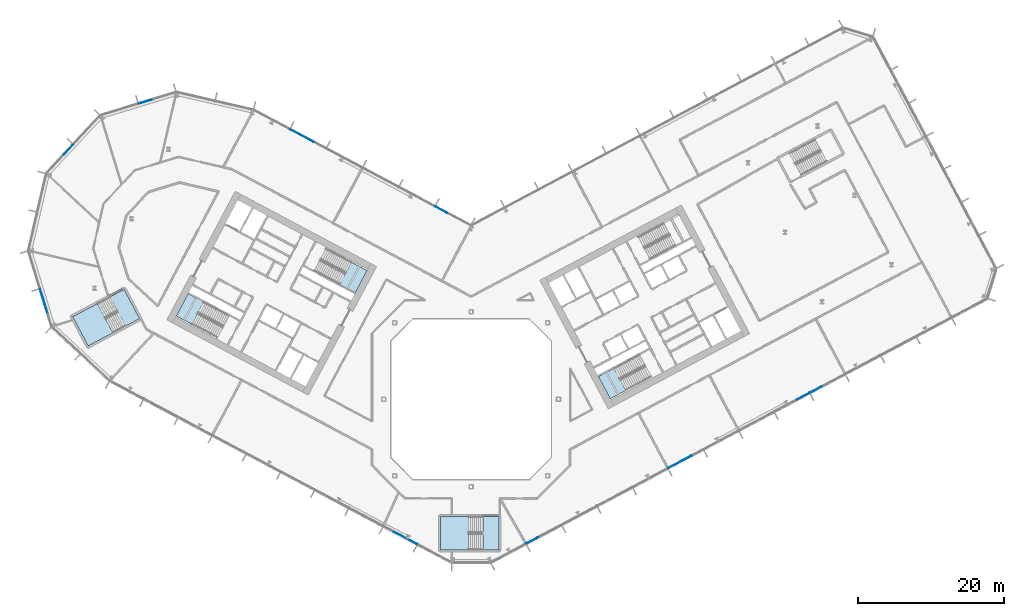
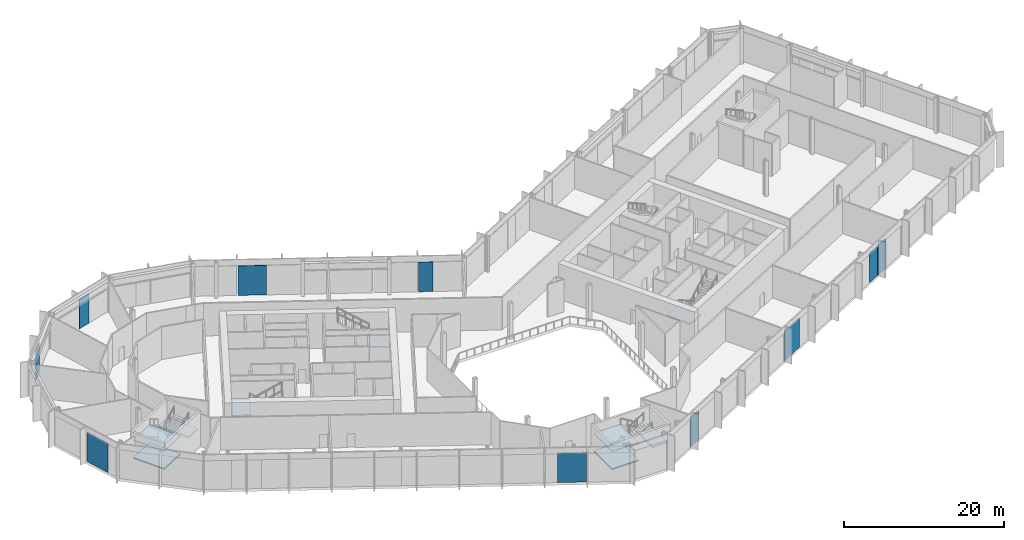
# One storey, part 9 of 30: 10 plates, 9 slabs, 11 elements without a shape of their own.
"""IFC4 building model written with IfcOpenShell, lengths in metres."""

from ifc_helpers import new_model, si_unit, direction, frame, origin, origin_2d, place, context, subcontext, project, spatial, polyline, rectangle, outline, extrude, material, layer, layer_set, type_object, element, aggregate, save


model = new_model("IFC4")

# Units and contexts
model_context = context("Model", 3, precision=1e-05, world=origin(), true_north=direction((0.0, 1.0)))
body_context = subcontext(model_context, "Body", "Model", "MODEL_VIEW")
ifc_project = project(units=[si_unit("LENGTHUNIT", "METRE"), si_unit("AREAUNIT", "SQUARE_METRE"), si_unit("VOLUMEUNIT", "CUBIC_METRE"), si_unit("PLANEANGLEUNIT", "RADIAN"), si_unit("MASSUNIT", "GRAM", prefix="KILO")], contexts=[model_context])

# Site, building, storey
site_placement = place(None, origin())
site = spatial("IfcSite", under=ifc_project, at=site_placement, CompositionType="ELEMENT")
building_placement = place(site_placement, origin())
building = spatial("IfcBuilding", under=site, at=building_placement, Name="Cormorant Relay Tower", CompositionType="ELEMENT")
storey_placement = place(building_placement, frame((0.0, 0.0, 55.39990234375)))
storey = spatial("IfcBuildingStorey", under=building, at=storey_placement, Name="L10", CompositionType="ELEMENT", Elevation=55.39990234375)

# Curtain wall, plates
ifc_material_1 = material(Name="Aluminium 6063-T6 anodised bronze", Category="aluminium")
ifc_layer_1 = layer(ifc_material_1, 0.235107421875)
ifc_layer_set_1 = layer_set([ifc_layer_1], Name="CW6 data hall curtain wall with mineral wool panels")
curtain_wall_type = type_object("IfcCurtainWallType", Name="CW6 data hall curtain wall with mineral wool panels", PredefinedType="NOTDEFINED", material=ifc_layer_set_1)
curtain_wall_1_placement = place(storey_placement, origin())
curtain_wall_1 = element("IfcCurtainWall", 1, at=curtain_wall_1_placement, inside=storey, type_object=curtain_wall_type, Name="CW6 curtain wall 2", PredefinedType="NOTDEFINED")
ifc_material_2 = material(Name="Tinted triple-glazed laminated unit")
ifc_layer_2 = layer(ifc_material_2, 0.074951171875)
ifc_layer_set_2 = layer_set([ifc_layer_2], Name="CW6 triple-glazed vision unit 1800 module")
plate_type_1 = type_object("IfcPlateType", Name="CW6 triple-glazed vision unit 1800 module", PredefinedType="CURTAIN_PANEL", material=ifc_layer_set_2)
plate_1_placement = place(storey_placement, frame((8.39404296875, -19.36328125, 0.0), z_axis=(0.0, 0.0, 1.0), x_axis=(0.882947592859, 0.469471562786, 0.0)))
plate_1 = element("IfcPlate", 2, at=plate_1_placement, type_object=plate_type_1, Name="CW6 panel V01", PredefinedType="CURTAIN_PANEL", context=body_context, shape_type="SweptSolid", body=[
    extrude(rectangle(XDim=1.800048828125, YDim=0.074951171875, at=origin_2d()), origin(), (0.0, 0.0, 1.0), 4.5),
])
plate_2_placement = place(storey_placement, frame((45.605712890625, 0.422607421875, 0.0), z_axis=(0.0, 0.0, 1.0), x_axis=(0.882947592859, 0.469471562786, 0.0)))
plate_2 = element("IfcPlate", 3, at=plate_2_placement, type_object=plate_type_1, Name="CW6 panel V08", PredefinedType="CURTAIN_PANEL", context=body_context, shape_type="SweptSolid", body=[
    extrude(rectangle(XDim=1.800048828125, YDim=0.074951171875, at=origin_2d()), origin(), (0.0, 0.0, 1.0), 4.5),
])
plate_3_placement = place(storey_placement, frame((47.327392578125, 1.337890625, 0.0), z_axis=(0.0, 0.0, 1.0), x_axis=(0.882947592859, 0.469471562786, 0.0)))
plate_3 = element("IfcPlate", 4, at=plate_3_placement, type_object=plate_type_1, Name="CW6 panel V09", PredefinedType="CURTAIN_PANEL", context=body_context, shape_type="SweptSolid", body=[
    extrude(rectangle(XDim=1.800048828125, YDim=0.074951171875, at=origin_2d()), origin(), (0.0, 0.0, 1.0), 4.5),
])

# Curtain wall, plate
curtain_wall_2_placement = place(storey_placement, origin())
curtain_wall_2 = element("IfcCurtainWall", 5, at=curtain_wall_2_placement, inside=storey, type_object=curtain_wall_type, Name="CW6 curtain wall 7", PredefinedType="NOTDEFINED")
plate_4_placement = place(storey_placement, frame((-4.1005859375, 26.006591796875, 0.0), z_axis=(0.0, 0.0, 1.0), x_axis=(-0.882947592859, 0.469471562786, 0.0)))
plate_4 = element("IfcPlate", 6, at=plate_4_placement, type_object=plate_type_1, Name="CW6 panel V01", PredefinedType="CURTAIN_PANEL", context=body_context, shape_type="SweptSolid", body=[
    extrude(rectangle(XDim=1.800048828125, YDim=0.074951171875, at=origin_2d()), origin(), (0.0, 0.0, 1.0), 4.5),
])

curtain_wall_3_placement = place(storey_placement, origin())
curtain_wall_3 = element("IfcCurtainWall", 7, at=curtain_wall_3_placement, inside=storey, type_object=curtain_wall_type, Name="CW6 curtain wall 9", PredefinedType="NOTDEFINED")
plate_5_placement = place(storey_placement, frame((-44.74169921875, 40.84521484375, 0.0), z_axis=(0.0, 0.0, 1.0), x_axis=(-0.956304755963, -0.292371704723, 0.0)))
plate_5 = element("IfcPlate", 8, at=plate_5_placement, type_object=plate_type_1, Name="CW6 panel V01", PredefinedType="CURTAIN_PANEL", context=body_context, shape_type="SweptSolid", body=[
    extrude(rectangle(XDim=1.800048828125, YDim=0.074951171875, at=origin_2d()), origin(), (0.0, 0.0, 1.0), 4.5),
])
aggregate(curtain_wall_3, [plate_5])

curtain_wall_4_placement = place(storey_placement, origin())
curtain_wall_4 = element("IfcCurtainWall", 9, at=curtain_wall_4_placement, inside=storey, type_object=curtain_wall_type, Name="CW6 curtain wall 10", PredefinedType="NOTDEFINED")
plate_6_placement = place(storey_placement, frame((-55.260009765625, 34.272705078125, 0.0), z_axis=(0.0, 0.0, 1.0), x_axis=(-0.681998360062, -0.731353701619, 0.0)))
plate_6 = element("IfcPlate", 10, at=plate_6_placement, type_object=plate_type_1, Name="CW6 panel V01", PredefinedType="CURTAIN_PANEL", context=body_context, shape_type="SweptSolid", body=[
    extrude(rectangle(XDim=1.800048828125, YDim=0.074951171875, at=origin_2d()), origin(), (0.0, 0.0, 1.0), 4.5),
])
aggregate(curtain_wall_4, [plate_6])

# Plate
ifc_material_3 = material(Name="Tinted triple-glazed laminated unit")
ifc_layer_3 = layer(ifc_material_3, 0.074951171875)
ifc_layer_set_3 = layer_set([ifc_layer_3], Name="CW6 triple-glazed vision unit 3600 module")
plate_type_2 = type_object("IfcPlateType", Name="CW6 triple-glazed vision unit 3600 module", PredefinedType="CURTAIN_PANEL", material=ifc_layer_set_3)
plate_7_placement = place(storey_placement, frame((28.6552734375, -8.590087890625, 0.0), z_axis=(0.0, 0.0, 1.0), x_axis=(0.882947592859, 0.469471562786, 0.0)))
plate_7 = element("IfcPlate", 11, at=plate_7_placement, type_object=plate_type_2, Name="CW6 panel V05", PredefinedType="CURTAIN_PANEL", context=body_context, shape_type="SweptSolid", body=[
    extrude(rectangle(XDim=3.60009765625, YDim=0.074951171875, at=origin_2d()), origin(), (0.0, 0.0, 1.0), 4.5),
])

aggregate(curtain_wall_1, [plate_1, plate_7, plate_2, plate_3])

plate_8_placement = place(storey_placement, frame((-23.2216796875, 36.173583984375, 0.0), z_axis=(0.0, 0.0, 1.0), x_axis=(-0.882947592859, 0.469471562786, 0.0)))
plate_8 = element("IfcPlate", 12, at=plate_8_placement, type_object=plate_type_2, Name="CW6 panel V05", PredefinedType="CURTAIN_PANEL", context=body_context, shape_type="SweptSolid", body=[
    extrude(rectangle(XDim=3.60009765625, YDim=0.074951171875, at=origin_2d()), origin(), (0.0, 0.0, 1.0), 4.5),
])

aggregate(curtain_wall_2, [plate_4, plate_8])

# Curtain wall, plate
curtain_wall_5_placement = place(storey_placement, origin())
curtain_wall_5 = element("IfcCurtainWall", 13, at=curtain_wall_5_placement, inside=storey, type_object=curtain_wall_type, Name="CW6 curtain wall 12", PredefinedType="NOTDEFINED")
plate_9_placement = place(storey_placement, frame((-58.618408203125, 13.3916015625, 0.0), z_axis=(0.0, 0.0, 1.0), x_axis=(0.292371704723, -0.956304755963, 0.0)))
plate_9 = element("IfcPlate", 14, at=plate_9_placement, type_object=plate_type_2, Name="CW6 panel V01", PredefinedType="CURTAIN_PANEL", context=body_context, shape_type="SweptSolid", body=[
    extrude(rectangle(XDim=3.60009765625, YDim=0.074951171875, at=origin_2d()), origin(), (0.0, 0.0, 1.0), 4.5),
])
aggregate(curtain_wall_5, [plate_9])

curtain_wall_6_placement = place(storey_placement, origin())
curtain_wall_6 = element("IfcCurtainWall", 15, at=curtain_wall_6_placement, inside=storey, type_object=curtain_wall_type, Name="CW6 curtain wall 14", PredefinedType="NOTDEFINED")
plate_10_placement = place(storey_placement, frame((-9.01611328125, -19.032470703125, 0.0), z_axis=(0.0, 0.0, 1.0), x_axis=(0.882947592859, -0.469471562786, 0.0)))
plate_10 = element("IfcPlate", 16, at=plate_10_placement, type_object=plate_type_2, Name="CW6 panel V08", PredefinedType="CURTAIN_PANEL", context=body_context, shape_type="SweptSolid", body=[
    extrude(rectangle(XDim=3.60009765625, YDim=0.074951171875, at=origin_2d()), origin(), (0.0, 0.0, 1.0), 4.5),
])
aggregate(curtain_wall_6, [plate_10])

# Stair, slab
ifc_material_4 = material(Name="Concrete 40 MPa", Category="concrete")
stair_type_1 = type_object("IfcStairType", Name="Exit stair 1500", PredefinedType="HALF_TURN_STAIR", material=ifc_material_4)
stair_1_placement = place(storey_placement, origin())
stair_1 = element("IfcStair", 17, at=stair_1_placement, inside=storey, type_object=stair_type_1, Name="L10 Stair", PredefinedType="HALF_TURN_STAIR")
ifc_material_5 = material(Name="Concrete 40 MPa", Category="concrete")
ifc_layer_4 = layer(ifc_material_5, 0.199951171875)
ifc_layer_set_4 = layer_set([ifc_layer_4], Name="Exit stair landing 200")
slab_type = type_object("IfcSlabType", Name="Exit stair landing 200", PredefinedType="LANDING", material=ifc_layer_set_4)
slab_1_placement = place(storey_placement, frame((0.0, 0.0, 2.5)))
slab_1 = element("IfcSlab", 18, at=slab_1_placement, type_object=slab_type, Name="A1 landing 1", PredefinedType="LANDING", context=body_context, shape_type="SweptSolid", body=[
    extrude(outline(polyline([(-18.04052734375, 15.764892578125), (-15.89501953125, 14.6240234375), (-14.275390625, 17.670166015625), (-16.4208984375, 18.81103515625), (-18.04052734375, 15.764892578125)])), origin(), (0.0, 0.0, 1.0), 0.2001953125),
])
aggregate(stair_1, [slab_1])

stair_2_placement = place(storey_placement, origin())
stair_2 = element("IfcStair", 19, at=stair_2_placement, inside=storey, type_object=stair_type_1, Name="L10 Stair", PredefinedType="HALF_TURN_STAIR")
slab_2_placement = place(storey_placement, frame((0.0, 0.0, 2.5)))
slab_2 = element("IfcSlab", 20, at=slab_2_placement, type_object=slab_type, Name="A2 landing 1", PredefinedType="LANDING", context=body_context, shape_type="SweptSolid", body=[
    extrude(outline(polyline([(-36.7021484375, 13.34228515625), (-38.84765625, 14.483154296875), (-40.467529296875, 11.43701171875), (-38.32177734375, 10.296142578125), (-36.7021484375, 13.34228515625)])), origin(), (0.0, 0.0, 1.0), 0.2001953125),
])
aggregate(stair_2, [slab_2])

stair_3_placement = place(storey_placement, origin())
stair_3 = element("IfcStair", 21, at=stair_3_placement, inside=storey, type_object=stair_type_1, Name="L10 Stair", PredefinedType="HALF_TURN_STAIR")
slab_3_placement = place(storey_placement, frame((0.0, 0.0, 2.5)))
slab_3 = element("IfcSlab", 22, at=slab_3_placement, type_object=slab_type, Name="B1 landing 1", PredefinedType="LANDING", context=body_context, shape_type="SweptSolid", body=[
    extrude(outline(polyline([(19.6259765625, 4.262939453125), (17.48046875, 3.1220703125), (19.10009765625, 0.075927734375), (21.24560546875, 1.216552734375), (19.6259765625, 4.262939453125)])), origin(), (0.0, 0.0, 1.0), 0.2001953125),
])
aggregate(stair_3, [slab_3])

# Stair, slabs
ifc_material_6 = material(Name="Concrete 40 MPa", Category="concrete")
stair_type_2 = type_object("IfcStairType", Name="Remote exit stair 2200", PredefinedType="HALF_TURN_STAIR", material=ifc_material_6)
stair_4_placement = place(storey_placement, origin())
stair_4 = element("IfcStair", 23, at=stair_4_placement, inside=storey, type_object=stair_type_2, Name="L10 Stair", PredefinedType="HALF_TURN_STAIR")
slab_4_placement = place(storey_placement, frame((0.0, 0.0, 1.150146484375)))
slab_4 = element("IfcSlab", 24, at=slab_4_placement, type_object=slab_type, Name="RK1 landing 1", PredefinedType="LANDING", context=body_context, shape_type="SweptSolid", body=[
    extrude(outline(polyline([(-0.360107421875, -16.125), (-4.199951171875, -16.125), (-4.199951171875, -20.675048828125), (-0.360107421875, -20.675048828125), (-0.360107421875, -16.125)])), origin(), (0.0, 0.0, 1.0), 0.199951171875),
])
slab_5_placement = place(storey_placement, frame((0.0, 0.0, 2.5)))
slab_5 = element("IfcSlab", 25, at=slab_5_placement, type_object=slab_type, Name="RK1 landing 2", PredefinedType="LANDING", context=body_context, shape_type="SweptSolid", body=[
    extrude(outline(polyline([(3.800048828125, -16.125), (1.60009765625, -16.125), (1.60009765625, -20.675048828125), (3.800048828125, -20.675048828125), (3.800048828125, -16.125)])), origin(), (0.0, 0.0, 1.0), 0.2001953125),
])
slab_6_placement = place(storey_placement, frame((0.0, 0.0, 3.85009765625)))
slab_6 = element("IfcSlab", 26, at=slab_6_placement, type_object=slab_type, Name="RK1 landing 3", PredefinedType="LANDING", context=body_context, shape_type="SweptSolid", body=[
    extrude(outline(polyline([(-0.360107421875, -16.125), (-4.199951171875, -16.125), (-4.199951171875, -20.675048828125), (-0.360107421875, -20.675048828125), (-0.360107421875, -16.125)])), origin(), (0.0, 0.0, 1.0), 0.199951171875),
])
aggregate(stair_4, [slab_4, slab_5, slab_6])

stair_5_placement = place(storey_placement, origin())
stair_5 = element("IfcStair", 27, at=stair_5_placement, inside=storey, type_object=stair_type_2, Name="L10 Stair", PredefinedType="HALF_TURN_STAIR")
slab_7_placement = place(storey_placement, frame((0.0, 0.0, 1.150146484375)))
slab_7 = element("IfcSlab", 28, at=slab_7_placement, type_object=slab_type, Name="RP1 landing 1", PredefinedType="LANDING", context=body_context, shape_type="SweptSolid", body=[
    extrude(outline(polyline([(-51.309326171875, 13.133544921875), (-54.699951171875, 11.330810546875), (-52.563720703125, 7.3134765625), (-49.17333984375, 9.1162109375), (-51.309326171875, 13.133544921875)])), origin(), (0.0, 0.0, 1.0), 0.199951171875),
])
slab_8_placement = place(storey_placement, frame((0.0, 0.0, 2.5)))
slab_8 = element("IfcSlab", 29, at=slab_8_placement, type_object=slab_type, Name="RP1 landing 2", PredefinedType="LANDING", context=body_context, shape_type="SweptSolid", body=[
    extrude(outline(polyline([(-47.63623046875, 15.086669921875), (-49.578857421875, 14.0537109375), (-47.442626953125, 10.036376953125), (-45.500244140625, 11.069091796875), (-47.63623046875, 15.086669921875)])), origin(), (0.0, 0.0, 1.0), 0.2001953125),
])
slab_9_placement = place(storey_placement, frame((0.0, 0.0, 3.85009765625)))
slab_9 = element("IfcSlab", 30, at=slab_9_placement, type_object=slab_type, Name="RP1 landing 3", PredefinedType="LANDING", context=body_context, shape_type="SweptSolid", body=[
    extrude(outline(polyline([(-51.309326171875, 13.133544921875), (-54.699951171875, 11.330810546875), (-52.563720703125, 7.3134765625), (-49.17333984375, 9.1162109375), (-51.309326171875, 13.133544921875)])), origin(), (0.0, 0.0, 1.0), 0.199951171875),
])
aggregate(stair_5, [slab_7, slab_8, slab_9])

save(model, "model.ifc")
